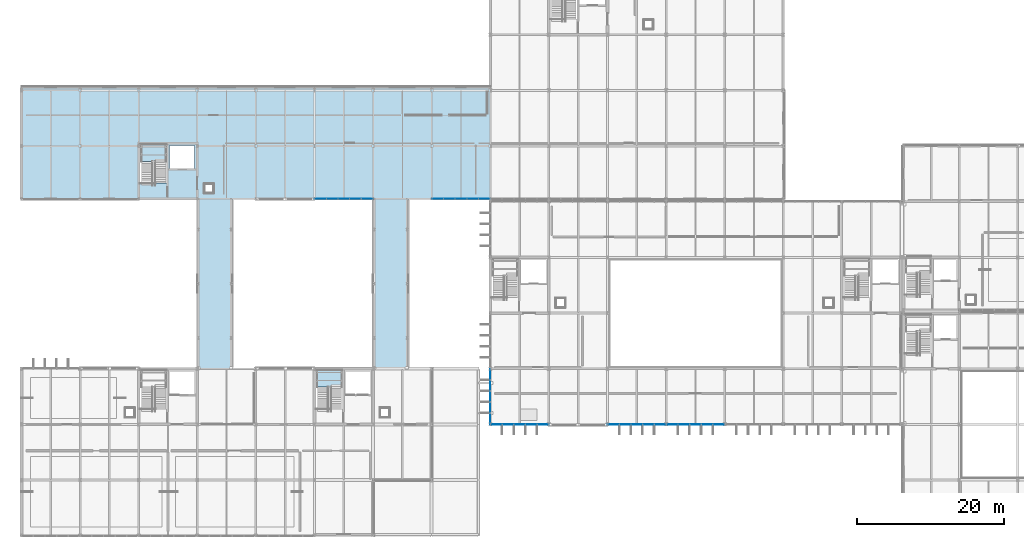
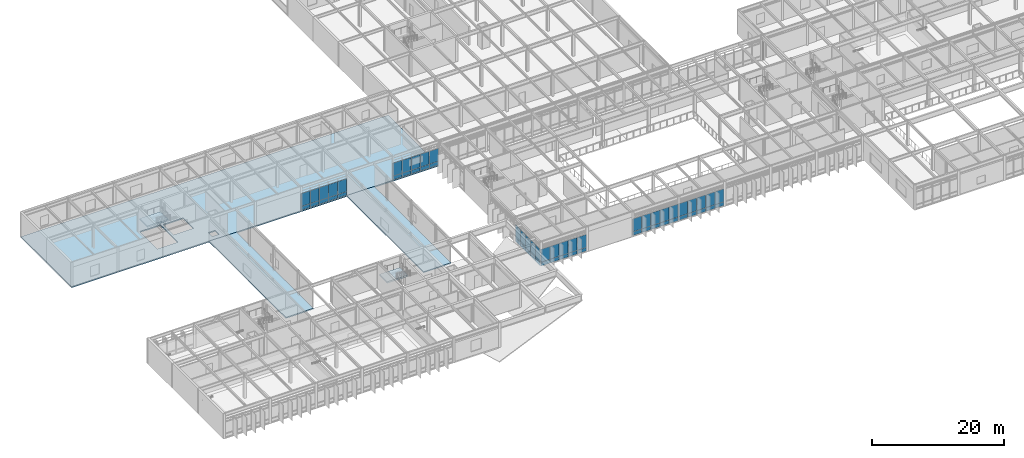
# One storey, part 71 of 104: 60 plates, 5 slabs, 8 elements without a shape of their own.
"""IFC4 building model written with IfcOpenShell, lengths in metres."""

from ifc_helpers import new_model, si_unit, direction, frame, origin, origin_2d, place, context, subcontext, project, spatial, polyline, rectangle, outline, extrude, material, layer, layer_set, type_object, element, aggregate, save


model = new_model("IFC4")

# Units and contexts
model_context = context("Model", 3, precision=1e-05, world=origin(), true_north=direction((0.0, 1.0)))
body_context = subcontext(model_context, "Body", "Model", "MODEL_VIEW")
ifc_project = project(units=[si_unit("LENGTHUNIT", "METRE"), si_unit("AREAUNIT", "SQUARE_METRE"), si_unit("VOLUMEUNIT", "CUBIC_METRE"), si_unit("PLANEANGLEUNIT", "RADIAN"), si_unit("MASSUNIT", "GRAM", prefix="KILO")], contexts=[model_context])

# Site, building, storey
site_placement = place(None, origin())
site = spatial("IfcSite", under=ifc_project, at=site_placement, CompositionType="ELEMENT")
building_placement = place(site_placement, origin())
building = spatial("IfcBuilding", under=site, at=building_placement, Name="Zulena Civic Courthouse", CompositionType="ELEMENT")
storey_placement = place(building_placement, frame((0.0, 0.0, 10.800048828125)))
storey = spatial("IfcBuildingStorey", under=building, at=storey_placement, Name="L02", CompositionType="ELEMENT", Elevation=10.800048828125)

# Slabs
ifc_material_1 = material(Name="Concrete C35/45", Category="concrete")
ifc_layer_1 = layer(ifc_material_1, 0.195068359375)
ifc_layer_set_1 = layer_set([ifc_layer_1], Name="Concrete C35/45")
slab_type_1 = type_object("IfcSlabType", Name="BridgeSlab_195", PredefinedType="FLOOR", material=ifc_layer_set_1)
slab_1_placement = place(storey_placement, frame((0.0, 0.0, -0.195068359375)))
element("IfcSlab", 1, at=slab_1_placement, inside=storey, type_object=slab_type_1, Name="slab:bridge:BR-52J:L02", PredefinedType="FLOOR", context=body_context, shape_type="SweptSolid", body=[
    extrude(outline(polyline([(28.0, 22.800048828125), (32.800048828125, 22.800048828125), (32.800048828125, 46.0), (28.0, 46.0), (28.0, 22.800048828125)])), origin(), (0.0, 0.0, 1.0), 0.195068359375),
])
slab_2_placement = place(storey_placement, frame((0.0, 0.0, -0.195068359375)))
element("IfcSlab", 2, at=slab_2_placement, inside=storey, type_object=slab_type_1, Name="slab:bridge:BR-52C:L02", PredefinedType="FLOOR", context=body_context, shape_type="SweptSolid", body=[
    extrude(outline(polyline([(52.0, 22.800048828125), (56.800048828125, 22.800048828125), (56.800048828125, 46.0), (52.0, 46.0), (52.0, 22.800048828125)])), origin(), (0.0, 0.0, 1.0), 0.195068359375),
])

# Curtain wall, plates
ifc_material_2 = material(Name="Double-silver low-E laminated solar-control glass", Category="glass")
curtain_wall_type_1 = type_object("IfcCurtainWallType", Name="CW_7540x3690", PredefinedType="USERDEFINED", material=ifc_material_2)
curtain_wall_1_placement = place(storey_placement, origin())
curtain_wall_1 = element("IfcCurtainWall", 3, at=curtain_wall_1_placement, inside=storey, type_object=curtain_wall_type_1, Name="cw:V4:L02:0:0", ObjectType="UNITISED CURTAIN WALL", PredefinedType="USERDEFINED")
ifc_material_3 = material(Name="Ceramic-fritted insulated spandrel glass", Category="glass")
ifc_layer_2 = layer(ifc_material_3, 0.0458984375)
ifc_layer_set_2 = layer_set([ifc_layer_2], Name="Ceramic-fritted insulated spandrel glass")
plate_type_1 = type_object("IfcPlateType", Name="CWPanel_Spandrel_46", PredefinedType="CURTAIN_PANEL", material=ifc_layer_set_2)
plate_1_placement = place(storey_placement, frame((68.0, 15.98388671875, 0.070068359375), z_axis=(0.0, 0.0, 1.0), x_axis=(0.0, 1.0, 0.0)))
plate_1 = element("IfcPlate", 4, at=plate_1_placement, type_object=plate_type_1, Name="cw:V4:L02:0:0:panS:0", PredefinedType="CURTAIN_PANEL", context=body_context, shape_type="SweptSolid", body=[
    extrude(rectangle(XDim=1.4580078125, YDim=0.0458984375, at=origin_2d()), origin(), (0.0, 0.0, 1.0), 0.669921875),
])
plate_2_placement = place(storey_placement, frame((68.0, 17.491943359375, 0.070068359375), z_axis=(0.0, 0.0, 1.0), x_axis=(0.0, 1.0, 0.0)))
plate_2 = element("IfcPlate", 5, at=plate_2_placement, type_object=plate_type_1, Name="cw:V4:L02:0:0:panS:1", PredefinedType="CURTAIN_PANEL", context=body_context, shape_type="SweptSolid", body=[
    extrude(rectangle(XDim=1.4580078125, YDim=0.0458984375, at=origin_2d()), origin(), (0.0, 0.0, 1.0), 0.669921875),
])
plate_3_placement = place(storey_placement, frame((68.0, 19.0, 0.070068359375), z_axis=(0.0, 0.0, 1.0), x_axis=(0.0, 1.0, 0.0)))
plate_3 = element("IfcPlate", 6, at=plate_3_placement, type_object=plate_type_1, Name="cw:V4:L02:0:0:panS:2", PredefinedType="CURTAIN_PANEL", context=body_context, shape_type="SweptSolid", body=[
    extrude(rectangle(XDim=1.4580078125, YDim=0.0458984375, at=origin_2d()), origin(), (0.0, 0.0, 1.0), 0.669921875),
])
plate_4_placement = place(storey_placement, frame((68.0, 20.508056640625, 0.070068359375), z_axis=(0.0, 0.0, 1.0), x_axis=(0.0, 1.0, 0.0)))
plate_4 = element("IfcPlate", 7, at=plate_4_placement, type_object=plate_type_1, Name="cw:V4:L02:0:0:panS:3", PredefinedType="CURTAIN_PANEL", context=body_context, shape_type="SweptSolid", body=[
    extrude(rectangle(XDim=1.4580078125, YDim=0.0458984375, at=origin_2d()), origin(), (0.0, 0.0, 1.0), 0.669921875),
])
plate_5_placement = place(storey_placement, frame((68.0, 22.01611328125, 0.070068359375), z_axis=(0.0, 0.0, 1.0), x_axis=(0.0, 1.0, 0.0)))
plate_5 = element("IfcPlate", 8, at=plate_5_placement, type_object=plate_type_1, Name="cw:V4:L02:0:0:panS:4", PredefinedType="CURTAIN_PANEL", context=body_context, shape_type="SweptSolid", body=[
    extrude(rectangle(XDim=1.4580078125, YDim=0.0458984375, at=origin_2d()), origin(), (0.0, 0.0, 1.0), 0.669921875),
])

curtain_wall_type_2 = type_object("IfcCurtainWallType", Name="CW_7940x3690", PredefinedType="USERDEFINED", material=ifc_material_2)
curtain_wall_2_placement = place(storey_placement, origin())
curtain_wall_2 = element("IfcCurtainWall", 9, at=curtain_wall_2_placement, inside=storey, type_object=curtain_wall_type_2, Name="cw:V4:L02:3:3", ObjectType="UNITISED CURTAIN WALL", PredefinedType="USERDEFINED")
plate_6_placement = place(storey_placement, frame((99.176025390625, 15.199951171875, 0.070068359375), z_axis=(0.0, 0.0, 1.0), x_axis=(-1.0, 0.0, 0.0)))
plate_6 = element("IfcPlate", 10, at=plate_6_placement, type_object=plate_type_1, Name="cw:V4:L02:3:3:panS:0", PredefinedType="CURTAIN_PANEL", context=body_context, shape_type="SweptSolid", body=[
    extrude(rectangle(XDim=1.5380859375, YDim=0.0458984375, at=origin_2d()), origin(), (0.0, 0.0, 1.0), 0.669921875),
])
plate_7_placement = place(storey_placement, frame((97.587890625, 15.199951171875, 0.070068359375), z_axis=(0.0, 0.0, 1.0), x_axis=(-1.0, 0.0, 0.0)))
plate_7 = element("IfcPlate", 11, at=plate_7_placement, type_object=plate_type_1, Name="cw:V4:L02:3:3:panS:1", PredefinedType="CURTAIN_PANEL", context=body_context, shape_type="SweptSolid", body=[
    extrude(rectangle(XDim=1.5380859375, YDim=0.0458984375, at=origin_2d()), origin(), (0.0, 0.0, 1.0), 0.669921875),
])
plate_8_placement = place(storey_placement, frame((96.0, 15.199951171875, 0.070068359375), z_axis=(0.0, 0.0, 1.0), x_axis=(-1.0, 0.0, 0.0)))
plate_8 = element("IfcPlate", 12, at=plate_8_placement, type_object=plate_type_1, Name="cw:V4:L02:3:3:panS:2", PredefinedType="CURTAIN_PANEL", context=body_context, shape_type="SweptSolid", body=[
    extrude(rectangle(XDim=1.5380859375, YDim=0.0458984375, at=origin_2d()), origin(), (0.0, 0.0, 1.0), 0.669921875),
])
plate_9_placement = place(storey_placement, frame((94.412109375, 15.199951171875, 0.070068359375), z_axis=(0.0, 0.0, 1.0), x_axis=(-1.0, 0.0, 0.0)))
plate_9 = element("IfcPlate", 13, at=plate_9_placement, type_object=plate_type_1, Name="cw:V4:L02:3:3:panS:3", PredefinedType="CURTAIN_PANEL", context=body_context, shape_type="SweptSolid", body=[
    extrude(rectangle(XDim=1.5380859375, YDim=0.0458984375, at=origin_2d()), origin(), (0.0, 0.0, 1.0), 0.669921875),
])
plate_10_placement = place(storey_placement, frame((92.823974609375, 15.199951171875, 0.070068359375), z_axis=(0.0, 0.0, 1.0), x_axis=(-1.0, 0.0, 0.0)))
plate_10 = element("IfcPlate", 14, at=plate_10_placement, type_object=plate_type_1, Name="cw:V4:L02:3:3:panS:4", PredefinedType="CURTAIN_PANEL", context=body_context, shape_type="SweptSolid", body=[
    extrude(rectangle(XDim=1.5380859375, YDim=0.0458984375, at=origin_2d()), origin(), (0.0, 0.0, 1.0), 0.669921875),
])

curtain_wall_3_placement = place(storey_placement, origin())
curtain_wall_3 = element("IfcCurtainWall", 15, at=curtain_wall_3_placement, inside=storey, type_object=curtain_wall_type_2, Name="cw:V4:L02:3:4", ObjectType="UNITISED CURTAIN WALL", PredefinedType="USERDEFINED")
plate_11_placement = place(storey_placement, frame((91.176025390625, 15.199951171875, 0.070068359375), z_axis=(0.0, 0.0, 1.0), x_axis=(-1.0, 0.0, 0.0)))
plate_11 = element("IfcPlate", 16, at=plate_11_placement, type_object=plate_type_1, Name="cw:V4:L02:3:4:panS:0", PredefinedType="CURTAIN_PANEL", context=body_context, shape_type="SweptSolid", body=[
    extrude(rectangle(XDim=1.5380859375, YDim=0.0458984375, at=origin_2d()), origin(), (0.0, 0.0, 1.0), 0.669921875),
])
plate_12_placement = place(storey_placement, frame((89.587890625, 15.199951171875, 0.070068359375), z_axis=(0.0, 0.0, 1.0), x_axis=(-1.0, 0.0, 0.0)))
plate_12 = element("IfcPlate", 17, at=plate_12_placement, type_object=plate_type_1, Name="cw:V4:L02:3:4:panS:1", PredefinedType="CURTAIN_PANEL", context=body_context, shape_type="SweptSolid", body=[
    extrude(rectangle(XDim=1.5380859375, YDim=0.0458984375, at=origin_2d()), origin(), (0.0, 0.0, 1.0), 0.669921875),
])
plate_13_placement = place(storey_placement, frame((88.0, 15.199951171875, 0.070068359375), z_axis=(0.0, 0.0, 1.0), x_axis=(-1.0, 0.0, 0.0)))
plate_13 = element("IfcPlate", 18, at=plate_13_placement, type_object=plate_type_1, Name="cw:V4:L02:3:4:panS:2", PredefinedType="CURTAIN_PANEL", context=body_context, shape_type="SweptSolid", body=[
    extrude(rectangle(XDim=1.5380859375, YDim=0.0458984375, at=origin_2d()), origin(), (0.0, 0.0, 1.0), 0.669921875),
])
plate_14_placement = place(storey_placement, frame((86.412109375, 15.199951171875, 0.070068359375), z_axis=(0.0, 0.0, 1.0), x_axis=(-1.0, 0.0, 0.0)))
plate_14 = element("IfcPlate", 19, at=plate_14_placement, type_object=plate_type_1, Name="cw:V4:L02:3:4:panS:3", PredefinedType="CURTAIN_PANEL", context=body_context, shape_type="SweptSolid", body=[
    extrude(rectangle(XDim=1.5380859375, YDim=0.0458984375, at=origin_2d()), origin(), (0.0, 0.0, 1.0), 0.669921875),
])
plate_15_placement = place(storey_placement, frame((84.823974609375, 15.199951171875, 0.070068359375), z_axis=(0.0, 0.0, 1.0), x_axis=(-1.0, 0.0, 0.0)))
plate_15 = element("IfcPlate", 20, at=plate_15_placement, type_object=plate_type_1, Name="cw:V4:L02:3:4:panS:4", PredefinedType="CURTAIN_PANEL", context=body_context, shape_type="SweptSolid", body=[
    extrude(rectangle(XDim=1.5380859375, YDim=0.0458984375, at=origin_2d()), origin(), (0.0, 0.0, 1.0), 0.669921875),
])

curtain_wall_4_placement = place(storey_placement, origin())
curtain_wall_4 = element("IfcCurtainWall", 21, at=curtain_wall_4_placement, inside=storey, type_object=curtain_wall_type_2, Name="cw:V4:L02:3:6", ObjectType="UNITISED CURTAIN WALL", PredefinedType="USERDEFINED")
plate_16_placement = place(storey_placement, frame((75.176025390625, 15.199951171875, 0.070068359375), z_axis=(0.0, 0.0, 1.0), x_axis=(-1.0, 0.0, 0.0)))
plate_16 = element("IfcPlate", 22, at=plate_16_placement, type_object=plate_type_1, Name="cw:V4:L02:3:6:panS:0", PredefinedType="CURTAIN_PANEL", context=body_context, shape_type="SweptSolid", body=[
    extrude(rectangle(XDim=1.5380859375, YDim=0.0458984375, at=origin_2d()), origin(), (0.0, 0.0, 1.0), 0.669921875),
])
plate_17_placement = place(storey_placement, frame((73.587890625, 15.199951171875, 0.070068359375), z_axis=(0.0, 0.0, 1.0), x_axis=(-1.0, 0.0, 0.0)))
plate_17 = element("IfcPlate", 23, at=plate_17_placement, type_object=plate_type_1, Name="cw:V4:L02:3:6:panS:1", PredefinedType="CURTAIN_PANEL", context=body_context, shape_type="SweptSolid", body=[
    extrude(rectangle(XDim=1.5380859375, YDim=0.0458984375, at=origin_2d()), origin(), (0.0, 0.0, 1.0), 0.669921875),
])
plate_18_placement = place(storey_placement, frame((72.0, 15.199951171875, 0.070068359375), z_axis=(0.0, 0.0, 1.0), x_axis=(-1.0, 0.0, 0.0)))
plate_18 = element("IfcPlate", 24, at=plate_18_placement, type_object=plate_type_1, Name="cw:V4:L02:3:6:panS:2", PredefinedType="CURTAIN_PANEL", context=body_context, shape_type="SweptSolid", body=[
    extrude(rectangle(XDim=1.5380859375, YDim=0.0458984375, at=origin_2d()), origin(), (0.0, 0.0, 1.0), 0.669921875),
])
plate_19_placement = place(storey_placement, frame((70.412109375, 15.199951171875, 0.070068359375), z_axis=(0.0, 0.0, 1.0), x_axis=(-1.0, 0.0, 0.0)))
plate_19 = element("IfcPlate", 25, at=plate_19_placement, type_object=plate_type_1, Name="cw:V4:L02:3:6:panS:3", PredefinedType="CURTAIN_PANEL", context=body_context, shape_type="SweptSolid", body=[
    extrude(rectangle(XDim=1.5380859375, YDim=0.0458984375, at=origin_2d()), origin(), (0.0, 0.0, 1.0), 0.669921875),
])
plate_20_placement = place(storey_placement, frame((68.823974609375, 15.199951171875, 0.070068359375), z_axis=(0.0, 0.0, 1.0), x_axis=(-1.0, 0.0, 0.0)))
plate_20 = element("IfcPlate", 26, at=plate_20_placement, type_object=plate_type_1, Name="cw:V4:L02:3:6:panS:4", PredefinedType="CURTAIN_PANEL", context=body_context, shape_type="SweptSolid", body=[
    extrude(rectangle(XDim=1.5380859375, YDim=0.0458984375, at=origin_2d()), origin(), (0.0, 0.0, 1.0), 0.669921875),
])

curtain_wall_5_placement = place(storey_placement, origin())
curtain_wall_5 = element("IfcCurtainWall", 27, at=curtain_wall_5_placement, inside=storey, type_object=curtain_wall_type_2, Name="cw:V5:L02:5:5", ObjectType="UNITISED CURTAIN WALL", PredefinedType="USERDEFINED")
plate_21_placement = place(storey_placement, frame((67.176025390625, 46.0, 0.070068359375), z_axis=(0.0, 0.0, 1.0), x_axis=(-1.0, 0.0, 0.0)))
plate_21 = element("IfcPlate", 28, at=plate_21_placement, type_object=plate_type_1, Name="cw:V5:L02:5:5:panS:0", PredefinedType="CURTAIN_PANEL", context=body_context, shape_type="SweptSolid", body=[
    extrude(rectangle(XDim=1.5380859375, YDim=0.0458984375, at=origin_2d()), origin(), (0.0, 0.0, 1.0), 0.669921875),
])
plate_22_placement = place(storey_placement, frame((65.587890625, 46.0, 0.070068359375), z_axis=(0.0, 0.0, 1.0), x_axis=(-1.0, 0.0, 0.0)))
plate_22 = element("IfcPlate", 29, at=plate_22_placement, type_object=plate_type_1, Name="cw:V5:L02:5:5:panS:1", PredefinedType="CURTAIN_PANEL", context=body_context, shape_type="SweptSolid", body=[
    extrude(rectangle(XDim=1.5380859375, YDim=0.0458984375, at=origin_2d()), origin(), (0.0, 0.0, 1.0), 0.669921875),
])
plate_23_placement = place(storey_placement, frame((64.0, 46.0, 0.070068359375), z_axis=(0.0, 0.0, 1.0), x_axis=(-1.0, 0.0, 0.0)))
plate_23 = element("IfcPlate", 30, at=plate_23_placement, type_object=plate_type_1, Name="cw:V5:L02:5:5:panS:2", PredefinedType="CURTAIN_PANEL", context=body_context, shape_type="SweptSolid", body=[
    extrude(rectangle(XDim=1.5380859375, YDim=0.0458984375, at=origin_2d()), origin(), (0.0, 0.0, 1.0), 0.669921875),
])
plate_24_placement = place(storey_placement, frame((62.412109375, 46.0, 0.070068359375), z_axis=(0.0, 0.0, 1.0), x_axis=(-1.0, 0.0, 0.0)))
plate_24 = element("IfcPlate", 31, at=plate_24_placement, type_object=plate_type_1, Name="cw:V5:L02:5:5:panS:3", PredefinedType="CURTAIN_PANEL", context=body_context, shape_type="SweptSolid", body=[
    extrude(rectangle(XDim=1.5380859375, YDim=0.0458984375, at=origin_2d()), origin(), (0.0, 0.0, 1.0), 0.669921875),
])
plate_25_placement = place(storey_placement, frame((60.823974609375, 46.0, 0.070068359375), z_axis=(0.0, 0.0, 1.0), x_axis=(-1.0, 0.0, 0.0)))
plate_25 = element("IfcPlate", 32, at=plate_25_placement, type_object=plate_type_1, Name="cw:V5:L02:5:5:panS:4", PredefinedType="CURTAIN_PANEL", context=body_context, shape_type="SweptSolid", body=[
    extrude(rectangle(XDim=1.5380859375, YDim=0.0458984375, at=origin_2d()), origin(), (0.0, 0.0, 1.0), 0.669921875),
])

curtain_wall_6_placement = place(storey_placement, origin())
curtain_wall_6 = element("IfcCurtainWall", 33, at=curtain_wall_6_placement, inside=storey, type_object=curtain_wall_type_2, Name="cw:V5:L02:5:7", ObjectType="UNITISED CURTAIN WALL", PredefinedType="USERDEFINED")
plate_26_placement = place(storey_placement, frame((51.176025390625, 46.0, 0.070068359375), z_axis=(0.0, 0.0, 1.0), x_axis=(-1.0, 0.0, 0.0)))
plate_26 = element("IfcPlate", 34, at=plate_26_placement, type_object=plate_type_1, Name="cw:V5:L02:5:7:panS:0", PredefinedType="CURTAIN_PANEL", context=body_context, shape_type="SweptSolid", body=[
    extrude(rectangle(XDim=1.5380859375, YDim=0.0458984375, at=origin_2d()), origin(), (0.0, 0.0, 1.0), 0.669921875),
])
plate_27_placement = place(storey_placement, frame((49.587890625, 46.0, 0.070068359375), z_axis=(0.0, 0.0, 1.0), x_axis=(-1.0, 0.0, 0.0)))
plate_27 = element("IfcPlate", 35, at=plate_27_placement, type_object=plate_type_1, Name="cw:V5:L02:5:7:panS:1", PredefinedType="CURTAIN_PANEL", context=body_context, shape_type="SweptSolid", body=[
    extrude(rectangle(XDim=1.5380859375, YDim=0.0458984375, at=origin_2d()), origin(), (0.0, 0.0, 1.0), 0.669921875),
])
plate_28_placement = place(storey_placement, frame((48.0, 46.0, 0.070068359375), z_axis=(0.0, 0.0, 1.0), x_axis=(-1.0, 0.0, 0.0)))
plate_28 = element("IfcPlate", 36, at=plate_28_placement, type_object=plate_type_1, Name="cw:V5:L02:5:7:panS:2", PredefinedType="CURTAIN_PANEL", context=body_context, shape_type="SweptSolid", body=[
    extrude(rectangle(XDim=1.5380859375, YDim=0.0458984375, at=origin_2d()), origin(), (0.0, 0.0, 1.0), 0.669921875),
])
plate_29_placement = place(storey_placement, frame((46.412109375, 46.0, 0.070068359375), z_axis=(0.0, 0.0, 1.0), x_axis=(-1.0, 0.0, 0.0)))
plate_29 = element("IfcPlate", 37, at=plate_29_placement, type_object=plate_type_1, Name="cw:V5:L02:5:7:panS:3", PredefinedType="CURTAIN_PANEL", context=body_context, shape_type="SweptSolid", body=[
    extrude(rectangle(XDim=1.5380859375, YDim=0.0458984375, at=origin_2d()), origin(), (0.0, 0.0, 1.0), 0.669921875),
])
plate_30_placement = place(storey_placement, frame((44.823974609375, 46.0, 0.070068359375), z_axis=(0.0, 0.0, 1.0), x_axis=(-1.0, 0.0, 0.0)))
plate_30 = element("IfcPlate", 38, at=plate_30_placement, type_object=plate_type_1, Name="cw:V5:L02:5:7:panS:4", PredefinedType="CURTAIN_PANEL", context=body_context, shape_type="SweptSolid", body=[
    extrude(rectangle(XDim=1.5380859375, YDim=0.0458984375, at=origin_2d()), origin(), (0.0, 0.0, 1.0), 0.669921875),
])

# Plate
ifc_layer_3 = layer(ifc_material_2, 0.035888671875)
ifc_layer_set_3 = layer_set([ifc_layer_3], Name="Double-silver low-E laminated solar-control glass")
plate_type_2 = type_object("IfcPlateType", Name="CWPanel_Vision_36", PredefinedType="CURTAIN_PANEL", material=ifc_layer_set_3)
plate_31_placement = place(storey_placement, frame((68.0, 15.98388671875, 0.760009765625), z_axis=(0.0, 0.0, 1.0), x_axis=(0.0, 1.0, 0.0)))
plate_31 = element("IfcPlate", 39, at=plate_31_placement, type_object=plate_type_2, Name="cw:V4:L02:0:0:panV:0", PredefinedType="CURTAIN_PANEL", context=body_context, shape_type="SweptSolid", body=[
    extrude(rectangle(XDim=1.4580078125, YDim=0.035888671875, at=origin_2d()), origin(), (0.0, 0.0, 1.0), 2.3701171875),
])

plate_32_placement = place(storey_placement, frame((68.0, 17.491943359375, 0.760009765625), z_axis=(0.0, 0.0, 1.0), x_axis=(0.0, 1.0, 0.0)))
plate_32 = element("IfcPlate", 40, at=plate_32_placement, type_object=plate_type_2, Name="cw:V4:L02:0:0:panV:1", PredefinedType="CURTAIN_PANEL", context=body_context, shape_type="SweptSolid", body=[
    extrude(rectangle(XDim=1.4580078125, YDim=0.035888671875, at=origin_2d()), origin(), (0.0, 0.0, 1.0), 2.3701171875),
])

plate_33_placement = place(storey_placement, frame((68.0, 19.0, 0.760009765625), z_axis=(0.0, 0.0, 1.0), x_axis=(0.0, 1.0, 0.0)))
plate_33 = element("IfcPlate", 41, at=plate_33_placement, type_object=plate_type_2, Name="cw:V4:L02:0:0:panV:2", PredefinedType="CURTAIN_PANEL", context=body_context, shape_type="SweptSolid", body=[
    extrude(rectangle(XDim=1.4580078125, YDim=0.035888671875, at=origin_2d()), origin(), (0.0, 0.0, 1.0), 2.3701171875),
])

plate_34_placement = place(storey_placement, frame((68.0, 20.508056640625, 0.760009765625), z_axis=(0.0, 0.0, 1.0), x_axis=(0.0, 1.0, 0.0)))
plate_34 = element("IfcPlate", 42, at=plate_34_placement, type_object=plate_type_2, Name="cw:V4:L02:0:0:panV:3", PredefinedType="CURTAIN_PANEL", context=body_context, shape_type="SweptSolid", body=[
    extrude(rectangle(XDim=1.4580078125, YDim=0.035888671875, at=origin_2d()), origin(), (0.0, 0.0, 1.0), 2.3701171875),
])

plate_35_placement = place(storey_placement, frame((68.0, 22.01611328125, 0.760009765625), z_axis=(0.0, 0.0, 1.0), x_axis=(0.0, 1.0, 0.0)))
plate_35 = element("IfcPlate", 43, at=plate_35_placement, type_object=plate_type_2, Name="cw:V4:L02:0:0:panV:4", PredefinedType="CURTAIN_PANEL", context=body_context, shape_type="SweptSolid", body=[
    extrude(rectangle(XDim=1.4580078125, YDim=0.035888671875, at=origin_2d()), origin(), (0.0, 0.0, 1.0), 2.3701171875),
])

aggregate(curtain_wall_1, [plate_31, plate_1, plate_32, plate_2, plate_33, plate_3, plate_34, plate_4, plate_35, plate_5])

plate_36_placement = place(storey_placement, frame((99.176025390625, 15.199951171875, 0.760009765625), z_axis=(0.0, 0.0, 1.0), x_axis=(-1.0, 0.0, 0.0)))
plate_36 = element("IfcPlate", 44, at=plate_36_placement, type_object=plate_type_2, Name="cw:V4:L02:3:3:panV:0", PredefinedType="CURTAIN_PANEL", context=body_context, shape_type="SweptSolid", body=[
    extrude(rectangle(XDim=1.5380859375, YDim=0.035888671875, at=origin_2d()), origin(), (0.0, 0.0, 1.0), 2.3701171875),
])

plate_37_placement = place(storey_placement, frame((97.587890625, 15.199951171875, 0.760009765625), z_axis=(0.0, 0.0, 1.0), x_axis=(-1.0, 0.0, 0.0)))
plate_37 = element("IfcPlate", 45, at=plate_37_placement, type_object=plate_type_2, Name="cw:V4:L02:3:3:panV:1", PredefinedType="CURTAIN_PANEL", context=body_context, shape_type="SweptSolid", body=[
    extrude(rectangle(XDim=1.5380859375, YDim=0.035888671875, at=origin_2d()), origin(), (0.0, 0.0, 1.0), 2.3701171875),
])

plate_38_placement = place(storey_placement, frame((96.0, 15.199951171875, 0.760009765625), z_axis=(0.0, 0.0, 1.0), x_axis=(-1.0, 0.0, 0.0)))
plate_38 = element("IfcPlate", 46, at=plate_38_placement, type_object=plate_type_2, Name="cw:V4:L02:3:3:panV:2", PredefinedType="CURTAIN_PANEL", context=body_context, shape_type="SweptSolid", body=[
    extrude(rectangle(XDim=1.5380859375, YDim=0.035888671875, at=origin_2d()), origin(), (0.0, 0.0, 1.0), 2.3701171875),
])

plate_39_placement = place(storey_placement, frame((94.412109375, 15.199951171875, 0.760009765625), z_axis=(0.0, 0.0, 1.0), x_axis=(-1.0, 0.0, 0.0)))
plate_39 = element("IfcPlate", 47, at=plate_39_placement, type_object=plate_type_2, Name="cw:V4:L02:3:3:panV:3", PredefinedType="CURTAIN_PANEL", context=body_context, shape_type="SweptSolid", body=[
    extrude(rectangle(XDim=1.5380859375, YDim=0.035888671875, at=origin_2d()), origin(), (0.0, 0.0, 1.0), 2.3701171875),
])

plate_40_placement = place(storey_placement, frame((92.823974609375, 15.199951171875, 0.760009765625), z_axis=(0.0, 0.0, 1.0), x_axis=(-1.0, 0.0, 0.0)))
plate_40 = element("IfcPlate", 48, at=plate_40_placement, type_object=plate_type_2, Name="cw:V4:L02:3:3:panV:4", PredefinedType="CURTAIN_PANEL", context=body_context, shape_type="SweptSolid", body=[
    extrude(rectangle(XDim=1.5380859375, YDim=0.035888671875, at=origin_2d()), origin(), (0.0, 0.0, 1.0), 2.3701171875),
])

aggregate(curtain_wall_2, [plate_36, plate_6, plate_37, plate_7, plate_38, plate_8, plate_39, plate_9, plate_40, plate_10])

plate_41_placement = place(storey_placement, frame((91.176025390625, 15.199951171875, 0.760009765625), z_axis=(0.0, 0.0, 1.0), x_axis=(-1.0, 0.0, 0.0)))
plate_41 = element("IfcPlate", 49, at=plate_41_placement, type_object=plate_type_2, Name="cw:V4:L02:3:4:panV:0", PredefinedType="CURTAIN_PANEL", context=body_context, shape_type="SweptSolid", body=[
    extrude(rectangle(XDim=1.5380859375, YDim=0.035888671875, at=origin_2d()), origin(), (0.0, 0.0, 1.0), 2.3701171875),
])

plate_42_placement = place(storey_placement, frame((89.587890625, 15.199951171875, 0.760009765625), z_axis=(0.0, 0.0, 1.0), x_axis=(-1.0, 0.0, 0.0)))
plate_42 = element("IfcPlate", 50, at=plate_42_placement, type_object=plate_type_2, Name="cw:V4:L02:3:4:panV:1", PredefinedType="CURTAIN_PANEL", context=body_context, shape_type="SweptSolid", body=[
    extrude(rectangle(XDim=1.5380859375, YDim=0.035888671875, at=origin_2d()), origin(), (0.0, 0.0, 1.0), 2.3701171875),
])

plate_43_placement = place(storey_placement, frame((88.0, 15.199951171875, 0.760009765625), z_axis=(0.0, 0.0, 1.0), x_axis=(-1.0, 0.0, 0.0)))
plate_43 = element("IfcPlate", 51, at=plate_43_placement, type_object=plate_type_2, Name="cw:V4:L02:3:4:panV:2", PredefinedType="CURTAIN_PANEL", context=body_context, shape_type="SweptSolid", body=[
    extrude(rectangle(XDim=1.5380859375, YDim=0.035888671875, at=origin_2d()), origin(), (0.0, 0.0, 1.0), 2.3701171875),
])

plate_44_placement = place(storey_placement, frame((86.412109375, 15.199951171875, 0.760009765625), z_axis=(0.0, 0.0, 1.0), x_axis=(-1.0, 0.0, 0.0)))
plate_44 = element("IfcPlate", 52, at=plate_44_placement, type_object=plate_type_2, Name="cw:V4:L02:3:4:panV:3", PredefinedType="CURTAIN_PANEL", context=body_context, shape_type="SweptSolid", body=[
    extrude(rectangle(XDim=1.5380859375, YDim=0.035888671875, at=origin_2d()), origin(), (0.0, 0.0, 1.0), 2.3701171875),
])

plate_45_placement = place(storey_placement, frame((84.823974609375, 15.199951171875, 0.760009765625), z_axis=(0.0, 0.0, 1.0), x_axis=(-1.0, 0.0, 0.0)))
plate_45 = element("IfcPlate", 53, at=plate_45_placement, type_object=plate_type_2, Name="cw:V4:L02:3:4:panV:4", PredefinedType="CURTAIN_PANEL", context=body_context, shape_type="SweptSolid", body=[
    extrude(rectangle(XDim=1.5380859375, YDim=0.035888671875, at=origin_2d()), origin(), (0.0, 0.0, 1.0), 2.3701171875),
])

aggregate(curtain_wall_3, [plate_41, plate_11, plate_42, plate_12, plate_43, plate_13, plate_44, plate_14, plate_45, plate_15])

plate_46_placement = place(storey_placement, frame((75.176025390625, 15.199951171875, 0.760009765625), z_axis=(0.0, 0.0, 1.0), x_axis=(-1.0, 0.0, 0.0)))
plate_46 = element("IfcPlate", 54, at=plate_46_placement, type_object=plate_type_2, Name="cw:V4:L02:3:6:panV:0", PredefinedType="CURTAIN_PANEL", context=body_context, shape_type="SweptSolid", body=[
    extrude(rectangle(XDim=1.5380859375, YDim=0.035888671875, at=origin_2d()), origin(), (0.0, 0.0, 1.0), 2.3701171875),
])

plate_47_placement = place(storey_placement, frame((73.587890625, 15.199951171875, 0.760009765625), z_axis=(0.0, 0.0, 1.0), x_axis=(-1.0, 0.0, 0.0)))
plate_47 = element("IfcPlate", 55, at=plate_47_placement, type_object=plate_type_2, Name="cw:V4:L02:3:6:panV:1", PredefinedType="CURTAIN_PANEL", context=body_context, shape_type="SweptSolid", body=[
    extrude(rectangle(XDim=1.5380859375, YDim=0.035888671875, at=origin_2d()), origin(), (0.0, 0.0, 1.0), 2.3701171875),
])

plate_48_placement = place(storey_placement, frame((72.0, 15.199951171875, 0.760009765625), z_axis=(0.0, 0.0, 1.0), x_axis=(-1.0, 0.0, 0.0)))
plate_48 = element("IfcPlate", 56, at=plate_48_placement, type_object=plate_type_2, Name="cw:V4:L02:3:6:panV:2", PredefinedType="CURTAIN_PANEL", context=body_context, shape_type="SweptSolid", body=[
    extrude(rectangle(XDim=1.5380859375, YDim=0.035888671875, at=origin_2d()), origin(), (0.0, 0.0, 1.0), 2.3701171875),
])

plate_49_placement = place(storey_placement, frame((70.412109375, 15.199951171875, 0.760009765625), z_axis=(0.0, 0.0, 1.0), x_axis=(-1.0, 0.0, 0.0)))
plate_49 = element("IfcPlate", 57, at=plate_49_placement, type_object=plate_type_2, Name="cw:V4:L02:3:6:panV:3", PredefinedType="CURTAIN_PANEL", context=body_context, shape_type="SweptSolid", body=[
    extrude(rectangle(XDim=1.5380859375, YDim=0.035888671875, at=origin_2d()), origin(), (0.0, 0.0, 1.0), 2.3701171875),
])

plate_50_placement = place(storey_placement, frame((68.823974609375, 15.199951171875, 0.760009765625), z_axis=(0.0, 0.0, 1.0), x_axis=(-1.0, 0.0, 0.0)))
plate_50 = element("IfcPlate", 58, at=plate_50_placement, type_object=plate_type_2, Name="cw:V4:L02:3:6:panV:4", PredefinedType="CURTAIN_PANEL", context=body_context, shape_type="SweptSolid", body=[
    extrude(rectangle(XDim=1.5380859375, YDim=0.035888671875, at=origin_2d()), origin(), (0.0, 0.0, 1.0), 2.3701171875),
])

aggregate(curtain_wall_4, [plate_46, plate_16, plate_47, plate_17, plate_48, plate_18, plate_49, plate_19, plate_50, plate_20])

plate_51_placement = place(storey_placement, frame((67.176025390625, 46.0, 0.760009765625), z_axis=(0.0, 0.0, 1.0), x_axis=(-1.0, 0.0, 0.0)))
plate_51 = element("IfcPlate", 59, at=plate_51_placement, type_object=plate_type_2, Name="cw:V5:L02:5:5:panV:0", PredefinedType="CURTAIN_PANEL", context=body_context, shape_type="SweptSolid", body=[
    extrude(rectangle(XDim=1.5380859375, YDim=0.035888671875, at=origin_2d()), origin(), (0.0, 0.0, 1.0), 2.3701171875),
])

plate_52_placement = place(storey_placement, frame((65.587890625, 46.0, 0.760009765625), z_axis=(0.0, 0.0, 1.0), x_axis=(-1.0, 0.0, 0.0)))
plate_52 = element("IfcPlate", 60, at=plate_52_placement, type_object=plate_type_2, Name="cw:V5:L02:5:5:panV:1", PredefinedType="CURTAIN_PANEL", context=body_context, shape_type="SweptSolid", body=[
    extrude(rectangle(XDim=1.5380859375, YDim=0.035888671875, at=origin_2d()), origin(), (0.0, 0.0, 1.0), 2.3701171875),
])

plate_53_placement = place(storey_placement, frame((64.0, 46.0, 0.760009765625), z_axis=(0.0, 0.0, 1.0), x_axis=(-1.0, 0.0, 0.0)))
plate_53 = element("IfcPlate", 61, at=plate_53_placement, type_object=plate_type_2, Name="cw:V5:L02:5:5:panV:2", PredefinedType="CURTAIN_PANEL", context=body_context, shape_type="SweptSolid", body=[
    extrude(rectangle(XDim=1.5380859375, YDim=0.035888671875, at=origin_2d()), origin(), (0.0, 0.0, 1.0), 2.3701171875),
])

plate_54_placement = place(storey_placement, frame((62.412109375, 46.0, 0.760009765625), z_axis=(0.0, 0.0, 1.0), x_axis=(-1.0, 0.0, 0.0)))
plate_54 = element("IfcPlate", 62, at=plate_54_placement, type_object=plate_type_2, Name="cw:V5:L02:5:5:panV:3", PredefinedType="CURTAIN_PANEL", context=body_context, shape_type="SweptSolid", body=[
    extrude(rectangle(XDim=1.5380859375, YDim=0.035888671875, at=origin_2d()), origin(), (0.0, 0.0, 1.0), 2.3701171875),
])

plate_55_placement = place(storey_placement, frame((60.823974609375, 46.0, 0.760009765625), z_axis=(0.0, 0.0, 1.0), x_axis=(-1.0, 0.0, 0.0)))
plate_55 = element("IfcPlate", 63, at=plate_55_placement, type_object=plate_type_2, Name="cw:V5:L02:5:5:panV:4", PredefinedType="CURTAIN_PANEL", context=body_context, shape_type="SweptSolid", body=[
    extrude(rectangle(XDim=1.5380859375, YDim=0.035888671875, at=origin_2d()), origin(), (0.0, 0.0, 1.0), 2.3701171875),
])

aggregate(curtain_wall_5, [plate_51, plate_21, plate_52, plate_22, plate_53, plate_23, plate_54, plate_24, plate_55, plate_25])

plate_56_placement = place(storey_placement, frame((51.176025390625, 46.0, 0.760009765625), z_axis=(0.0, 0.0, 1.0), x_axis=(-1.0, 0.0, 0.0)))
plate_56 = element("IfcPlate", 64, at=plate_56_placement, type_object=plate_type_2, Name="cw:V5:L02:5:7:panV:0", PredefinedType="CURTAIN_PANEL", context=body_context, shape_type="SweptSolid", body=[
    extrude(rectangle(XDim=1.5380859375, YDim=0.035888671875, at=origin_2d()), origin(), (0.0, 0.0, 1.0), 2.3701171875),
])

plate_57_placement = place(storey_placement, frame((49.587890625, 46.0, 0.760009765625), z_axis=(0.0, 0.0, 1.0), x_axis=(-1.0, 0.0, 0.0)))
plate_57 = element("IfcPlate", 65, at=plate_57_placement, type_object=plate_type_2, Name="cw:V5:L02:5:7:panV:1", PredefinedType="CURTAIN_PANEL", context=body_context, shape_type="SweptSolid", body=[
    extrude(rectangle(XDim=1.5380859375, YDim=0.035888671875, at=origin_2d()), origin(), (0.0, 0.0, 1.0), 2.3701171875),
])

plate_58_placement = place(storey_placement, frame((48.0, 46.0, 0.760009765625), z_axis=(0.0, 0.0, 1.0), x_axis=(-1.0, 0.0, 0.0)))
plate_58 = element("IfcPlate", 66, at=plate_58_placement, type_object=plate_type_2, Name="cw:V5:L02:5:7:panV:2", PredefinedType="CURTAIN_PANEL", context=body_context, shape_type="SweptSolid", body=[
    extrude(rectangle(XDim=1.5380859375, YDim=0.035888671875, at=origin_2d()), origin(), (0.0, 0.0, 1.0), 2.3701171875),
])

plate_59_placement = place(storey_placement, frame((46.412109375, 46.0, 0.760009765625), z_axis=(0.0, 0.0, 1.0), x_axis=(-1.0, 0.0, 0.0)))
plate_59 = element("IfcPlate", 67, at=plate_59_placement, type_object=plate_type_2, Name="cw:V5:L02:5:7:panV:3", PredefinedType="CURTAIN_PANEL", context=body_context, shape_type="SweptSolid", body=[
    extrude(rectangle(XDim=1.5380859375, YDim=0.035888671875, at=origin_2d()), origin(), (0.0, 0.0, 1.0), 2.3701171875),
])

plate_60_placement = place(storey_placement, frame((44.823974609375, 46.0, 0.760009765625), z_axis=(0.0, 0.0, 1.0), x_axis=(-1.0, 0.0, 0.0)))
plate_60 = element("IfcPlate", 68, at=plate_60_placement, type_object=plate_type_2, Name="cw:V5:L02:5:7:panV:4", PredefinedType="CURTAIN_PANEL", context=body_context, shape_type="SweptSolid", body=[
    extrude(rectangle(XDim=1.5380859375, YDim=0.035888671875, at=origin_2d()), origin(), (0.0, 0.0, 1.0), 2.3701171875),
])

aggregate(curtain_wall_6, [plate_56, plate_26, plate_57, plate_27, plate_58, plate_28, plate_59, plate_29, plate_60, plate_30])

# Slab
ifc_layer_4 = layer(ifc_material_1, 0.215087890625)
ifc_layer_set_4 = layer_set([ifc_layer_4], Name="Concrete C35/45")
slab_type_2 = type_object("IfcSlabType", Name="FloorSlab_215", PredefinedType="FLOOR", material=ifc_layer_set_4)
slab_3_placement = place(storey_placement, frame((0.0, 0.0, -0.215087890625)))
element("IfcSlab", 69, at=slab_3_placement, inside=storey, type_object=slab_type_2, Name="slab:V5:L02_1", PredefinedType="FLOOR", context=body_context, shape_type="SweptSolid", body=[
    extrude(outline(polyline([(4.0, 61.199951171875), (68.0, 61.199951171875), (68.0, 46.0), (4.0, 46.0), (4.0, 61.199951171875)]), holes=[polyline([(20.18994140625, 53.409912109375), (20.18994140625, 48.1201171875), (23.81005859375, 48.1201171875), (23.81005859375, 53.409912109375), (20.18994140625, 53.409912109375)]), polyline([(27.64990234375, 53.25), (24.199951171875, 53.25), (24.199951171875, 50.10009765625), (27.64990234375, 50.10009765625), (27.64990234375, 53.25)]), polyline([(29.0, 48.0), (29.0, 46.800048828125), (30.199951171875, 46.800048828125), (30.199951171875, 48.0), (29.0, 48.0)])]), origin(), (0.0, 0.0, 1.0), 0.215087890625),
])

# Stair, slab
ifc_material_4 = material(Name="Precast concrete C40/50", Category="concrete")
stair_type = type_object("IfcStairType", Name="HalfTurnStair_4800", PredefinedType="HALF_TURN_STAIR", material=ifc_material_4)
stair_1_placement = place(storey_placement, origin())
stair_1 = element("IfcStair", 70, at=stair_1_placement, inside=storey, type_object=stair_type, Name="stair:K2B:L02", PredefinedType="HALF_TURN_STAIR")
ifc_layer_5 = layer(ifc_material_4, 0.280029296875)
ifc_layer_set_5 = layer_set([ifc_layer_5], Name="Precast concrete C40/50")
slab_type_3 = type_object("IfcSlabType", Name="StairLandingSlab_280", PredefinedType="LANDING", material=ifc_layer_set_5)
slab_4_placement = place(storey_placement, frame((0.0, 0.0, 2.119873046875)))
slab_4 = element("IfcSlab", 71, at=slab_4_placement, type_object=slab_type_3, Name="stair:K2B:L02:LND", PredefinedType="LANDING", context=body_context, shape_type="SweptSolid", body=[
    extrude(outline(polyline([(44.179931640625, 20.294677734375), (47.820068359375, 20.294677734375), (47.820068359375, 22.6201171875), (44.179931640625, 22.6201171875), (44.179931640625, 20.294677734375)])), origin(), (0.0, 0.0, 1.0), 0.280029296875),
])
aggregate(stair_1, [slab_4])

stair_2_placement = place(storey_placement, origin())
stair_2 = element("IfcStair", 72, at=stair_2_placement, inside=storey, type_object=stair_type, Name="stair:K5A:L02", PredefinedType="HALF_TURN_STAIR")
slab_5_placement = place(storey_placement, frame((0.0, 0.0, 2.119873046875)))
slab_5 = element("IfcSlab", 73, at=slab_5_placement, type_object=slab_type_3, Name="stair:K5A:L02:LND", PredefinedType="LANDING", context=body_context, shape_type="SweptSolid", body=[
    extrude(outline(polyline([(20.179931640625, 51.094482421875), (23.820068359375, 51.094482421875), (23.820068359375, 53.419921875), (20.179931640625, 53.419921875), (20.179931640625, 51.094482421875)])), origin(), (0.0, 0.0, 1.0), 0.280029296875),
])
aggregate(stair_2, [slab_5])

save(model, "model.ifc")
